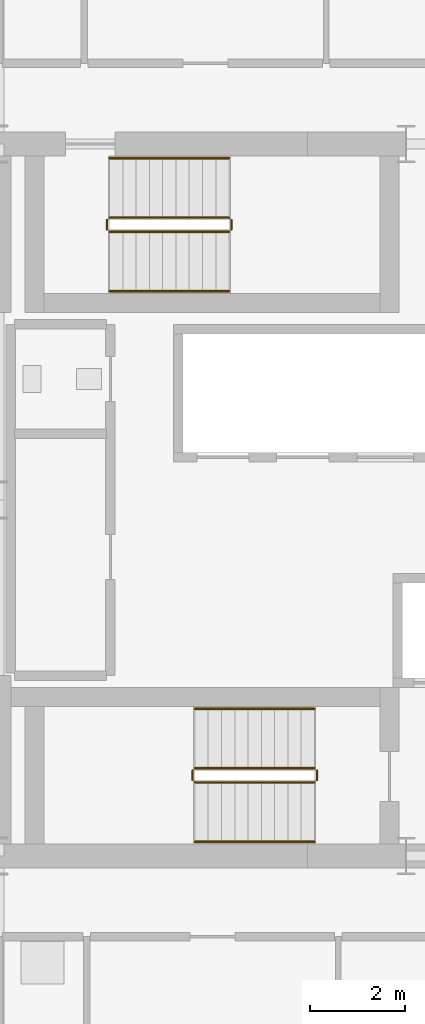
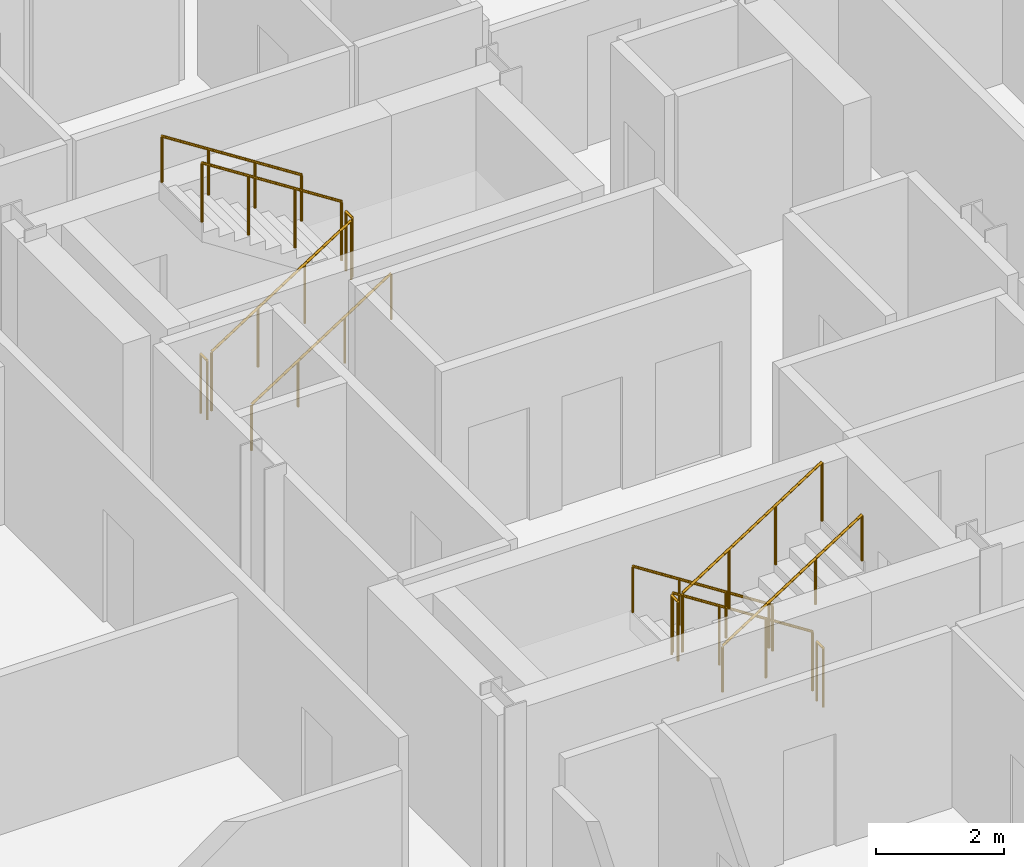
# One storey, part 20 of 21: 12 railings.
"""IFC4 building model written with IfcOpenShell, lengths in metres."""

from ifc_helpers import new_model, si_unit, direction, frame, origin, origin_2d, place, context, subcontext, project, spatial, circle, extrude, material, type_object, element, save


model = new_model("IFC4")

# Units and contexts
model_context = context("Model", 3, precision=1e-05, world=origin(), true_north=direction((0.0, 1.0)))
body_context = subcontext(model_context, "Body", "Model", "MODEL_VIEW")
ifc_project = project(units=[si_unit("LENGTHUNIT", "METRE"), si_unit("AREAUNIT", "SQUARE_METRE"), si_unit("VOLUMEUNIT", "CUBIC_METRE"), si_unit("PLANEANGLEUNIT", "RADIAN"), si_unit("MASSUNIT", "GRAM", prefix="KILO")], contexts=[model_context])

# Site, building, storey
site_placement = place(None, origin())
site = spatial("IfcSite", under=ifc_project, at=site_placement, CompositionType="ELEMENT")
building_placement = place(site_placement, origin())
building = spatial("IfcBuilding", under=site, at=building_placement, Name="Barlavira Tower and Art Museum", CompositionType="ELEMENT")
storey_placement = place(building_placement, frame((0.0, 0.0, 233.10009765625)))
storey = spatial("IfcBuildingStorey", under=building, at=storey_placement, Name="L60", CompositionType="ELEMENT", Elevation=233.10009765625)

# Railings
ifc_material = material(Name="Brushed stainless steel", Category="steel")
railing_type_1 = type_object("IfcRailingType", Name="Interior Void and Landing Guard Railing 1150", PredefinedType="GUARDRAIL", material=ifc_material)
railing_1_placement = place(storey_placement, frame((0.14990234375, -5.64990234375, 0.179931640625)))
element("IfcRailing", 1, at=railing_1_placement, inside=storey, type_object=railing_type_1, Name="L60 ST-T1 stair guard 1", PredefinedType="GUARDRAIL", context=body_context, shape_type="SweptSolid", body=[
    extrude(circle(Radius=0.02392578125, at=origin_2d()), frame((0.0, 0.0, 1.1259765625), z_axis=(-0.841199657755, 0.0, 0.540724639528), x_axis=(0.0, -1.0, 0.0)), (0.0, 0.0, 1.0), 2.995849609375),
    extrude(circle(Radius=0.02099609375, at=origin_2d()), origin(), (0.0, 0.0, 1.0), 1.101806640625),
    extrude(circle(Radius=0.02099609375, at=origin_2d()), frame((-0.840087890625, 0.0, 0.5400390625)), (0.0, 0.0, 1.0), 1.101806640625),
    extrude(circle(Radius=0.02099609375, at=origin_2d()), frame((-1.679931640625, 0.0, 1.079833984375)), (0.0, 0.0, 1.0), 1.101806640625),
    extrude(circle(Radius=0.02099609375, at=origin_2d()), frame((-2.52001953125, 0.0, 1.619873046875)), (0.0, 0.0, 1.0), 1.101806640625),
])
railing_2_placement = place(storey_placement, frame((-2.419921875, -5.699951171875, 1.7998046875)))
element("IfcRailing", 2, at=railing_2_placement, inside=storey, type_object=railing_type_1, Name="L60 ST-T1 stair guard 2", PredefinedType="GUARDRAIL", context=body_context, shape_type="SweptSolid", body=[
    extrude(circle(Radius=0.02392578125, at=origin_2d()), frame((0.0, 0.0, 1.1259765625), z_axis=(0.0, -1.0, 0.0), x_axis=(1.0, 0.0, 0.0)), (0.0, 0.0, 1.0), 0.199951171875),
    extrude(circle(Radius=0.02099609375, at=origin_2d()), origin(), (0.0, 0.0, 1.0), 1.101806640625),
    extrude(circle(Radius=0.02099609375, at=origin_2d()), frame((0.0, -0.199951171875, 0.0)), (0.0, 0.0, 1.0), 1.101806640625),
])
railing_3_placement = place(storey_placement, frame((-2.3701171875, -5.949951171875, 1.97998046875)))
element("IfcRailing", 3, at=railing_3_placement, inside=storey, type_object=railing_type_1, Name="L60 ST-T1 stair guard 3", PredefinedType="GUARDRAIL", context=body_context, shape_type="SweptSolid", body=[
    extrude(circle(Radius=0.02392578125, at=origin_2d()), frame((0.0, 0.0, 1.1259765625), z_axis=(0.841199657755, 0.0, 0.540724639528), x_axis=(0.0, 1.0, 0.0)), (0.0, 0.0, 1.0), 2.995849609375),
    extrude(circle(Radius=0.02099609375, at=origin_2d()), origin(), (0.0, 0.0, 1.0), 1.101806640625),
    extrude(circle(Radius=0.02099609375, at=origin_2d()), frame((0.840087890625, 0.0, 0.5400390625)), (0.0, 0.0, 1.0), 1.101806640625),
    extrude(circle(Radius=0.02099609375, at=origin_2d()), frame((1.679931640625, 0.0, 1.079833984375)), (0.0, 0.0, 1.0), 1.101806640625),
    extrude(circle(Radius=0.02099609375, at=origin_2d()), frame((2.52001953125, 0.0, 1.619873046875)), (0.0, 0.0, 1.0), 1.101806640625),
])
railing_4_placement = place(storey_placement, frame((0.199951171875, -5.699951171875, 0.0)))
element("IfcRailing", 4, at=railing_4_placement, inside=storey, type_object=railing_type_1, Name="L60 ST-T1 stair guard 4", PredefinedType="GUARDRAIL", context=body_context, shape_type="SweptSolid", body=[
    extrude(circle(Radius=0.02392578125, at=origin_2d()), frame((0.0, 0.0, 1.1259765625), z_axis=(0.0, -1.0, 0.0), x_axis=(1.0, 0.0, 0.0)), (0.0, 0.0, 1.0), 0.199951171875),
    extrude(circle(Radius=0.02099609375, at=origin_2d()), origin(), (0.0, 0.0, 1.0), 1.101806640625),
    extrude(circle(Radius=0.02099609375, at=origin_2d()), frame((0.0, -0.199951171875, 0.0)), (0.0, 0.0, 1.0), 1.101806640625),
])
railing_5_placement = place(storey_placement, frame((-4.169921875, 5.64990234375, 0.179931640625)))
element("IfcRailing", 5, at=railing_5_placement, inside=storey, type_object=railing_type_1, Name="L60 ST-T2 stair guard 1", PredefinedType="GUARDRAIL", context=body_context, shape_type="SweptSolid", body=[
    extrude(circle(Radius=0.02392578125, at=origin_2d()), frame((0.0, 0.0, 1.1259765625), z_axis=(0.841199657755, 0.0, 0.540724639528), x_axis=(0.0, 1.0, 0.0)), (0.0, 0.0, 1.0), 2.995849609375),
    extrude(circle(Radius=0.02099609375, at=origin_2d()), origin(), (0.0, 0.0, 1.0), 1.101806640625),
    extrude(circle(Radius=0.02099609375, at=origin_2d()), frame((0.840087890625, 0.0, 0.5400390625)), (0.0, 0.0, 1.0), 1.101806640625),
    extrude(circle(Radius=0.02099609375, at=origin_2d()), frame((1.679931640625, 0.0, 1.079833984375)), (0.0, 0.0, 1.0), 1.101806640625),
    extrude(circle(Radius=0.02099609375, at=origin_2d()), frame((2.52001953125, 0.0, 1.619873046875)), (0.0, 0.0, 1.0), 1.101806640625),
])
railing_6_placement = place(storey_placement, frame((-1.60009765625, 5.699951171875, 1.7998046875)))
element("IfcRailing", 6, at=railing_6_placement, inside=storey, type_object=railing_type_1, Name="L60 ST-T2 stair guard 2", PredefinedType="GUARDRAIL", context=body_context, shape_type="SweptSolid", body=[
    extrude(circle(Radius=0.02392578125, at=origin_2d()), frame((0.0, 0.0, 1.1259765625), z_axis=(0.0, 1.0, 0.0), x_axis=(-1.0, 0.0, 0.0)), (0.0, 0.0, 1.0), 0.199951171875),
    extrude(circle(Radius=0.02099609375, at=origin_2d()), origin(), (0.0, 0.0, 1.0), 1.101806640625),
    extrude(circle(Radius=0.02099609375, at=origin_2d()), frame((0.0, 0.199951171875, 0.0)), (0.0, 0.0, 1.0), 1.101806640625),
])
railing_7_placement = place(storey_placement, frame((-1.64990234375, 5.949951171875, 1.97998046875)))
element("IfcRailing", 7, at=railing_7_placement, inside=storey, type_object=railing_type_1, Name="L60 ST-T2 stair guard 3", PredefinedType="GUARDRAIL", context=body_context, shape_type="SweptSolid", body=[
    extrude(circle(Radius=0.02392578125, at=origin_2d()), frame((0.0, 0.0, 1.1259765625), z_axis=(-0.841199657755, 0.0, 0.540724639528), x_axis=(0.0, -1.0, 0.0)), (0.0, 0.0, 1.0), 2.995849609375),
    extrude(circle(Radius=0.02099609375, at=origin_2d()), origin(), (0.0, 0.0, 1.0), 1.101806640625),
    extrude(circle(Radius=0.02099609375, at=origin_2d()), frame((-0.840087890625, 0.0, 0.5400390625)), (0.0, 0.0, 1.0), 1.101806640625),
    extrude(circle(Radius=0.02099609375, at=origin_2d()), frame((-1.679931640625, 0.0, 1.079833984375)), (0.0, 0.0, 1.0), 1.101806640625),
    extrude(circle(Radius=0.02099609375, at=origin_2d()), frame((-2.52001953125, 0.0, 1.619873046875)), (0.0, 0.0, 1.0), 1.101806640625),
])
railing_8_placement = place(storey_placement, frame((-4.219970703125, 5.699951171875, 0.0)))
element("IfcRailing", 8, at=railing_8_placement, inside=storey, type_object=railing_type_1, Name="L60 ST-T2 stair guard 4", PredefinedType="GUARDRAIL", context=body_context, shape_type="SweptSolid", body=[
    extrude(circle(Radius=0.02392578125, at=origin_2d()), frame((0.0, 0.0, 1.1259765625), z_axis=(0.0, 1.0, 0.0), x_axis=(-1.0, 0.0, 0.0)), (0.0, 0.0, 1.0), 0.199951171875),
    extrude(circle(Radius=0.02099609375, at=origin_2d()), origin(), (0.0, 0.0, 1.0), 1.101806640625),
    extrude(circle(Radius=0.02099609375, at=origin_2d()), frame((0.0, 0.199951171875, 0.0)), (0.0, 0.0, 1.0), 1.101806640625),
])
railing_type_2 = type_object("IfcRailingType", Name="Stair Pitch Tubular Steel Handrail 920", PredefinedType="HANDRAIL", material=ifc_material)
railing_9_placement = place(storey_placement, frame((0.14990234375, -4.39990234375, 0.179931640625)))
element("IfcRailing", 9, at=railing_9_placement, inside=storey, type_object=railing_type_2, Name="L60 ST-T1 stair handrail 1", PredefinedType="HANDRAIL", context=body_context, shape_type="SweptSolid", body=[
    extrude(circle(Radius=0.02392578125, at=origin_2d()), frame((0.0, 0.0, 0.8759765625), z_axis=(-0.841199657755, 0.0, 0.540724639528), x_axis=(0.0, -1.0, 0.0)), (0.0, 0.0, 1.0), 2.995849609375),
    extrude(circle(Radius=0.02099609375, at=origin_2d()), origin(), (0.0, 0.0, 1.0), 0.851806640625),
    extrude(circle(Radius=0.02099609375, at=origin_2d()), frame((-0.840087890625, 0.0, 0.5400390625)), (0.0, 0.0, 1.0), 0.851806640625),
    extrude(circle(Radius=0.02099609375, at=origin_2d()), frame((-1.679931640625, 0.0, 1.079833984375)), (0.0, 0.0, 1.0), 0.851806640625),
    extrude(circle(Radius=0.02099609375, at=origin_2d()), frame((-2.52001953125, 0.0, 1.619873046875)), (0.0, 0.0, 1.0), 0.851806640625),
])
for number, where, name in (
    (10, (-2.3701171875, -7.199951171875, 1.97998046875), "L60 ST-T1 stair handrail 2"),
    (11, (-4.169921875, 4.39990234375, 0.179931640625), "L60 ST-T2 stair handrail 1"),
):
    element("IfcRailing", number, at=place(storey_placement, frame(where)), inside=storey, type_object=railing_type_2, Name=name, PredefinedType="HANDRAIL", context=body_context, shape_type="SweptSolid", body=[
        extrude(circle(Radius=0.02392578125, at=origin_2d()), frame((0.0, 0.0, 0.8759765625), z_axis=(0.841199657755, 0.0, 0.540724639528), x_axis=(0.0, 1.0, 0.0)), (0.0, 0.0, 1.0), 2.995849609375),
        extrude(circle(Radius=0.02099609375, at=origin_2d()), origin(), (0.0, 0.0, 1.0), 0.851806640625),
        extrude(circle(Radius=0.02099609375, at=origin_2d()), frame((0.840087890625, 0.0, 0.5400390625)), (0.0, 0.0, 1.0), 0.851806640625),
        extrude(circle(Radius=0.02099609375, at=origin_2d()), frame((1.679931640625, 0.0, 1.079833984375)), (0.0, 0.0, 1.0), 0.851806640625),
        extrude(circle(Radius=0.02099609375, at=origin_2d()), frame((2.52001953125, 0.0, 1.619873046875)), (0.0, 0.0, 1.0), 0.851806640625),
    ])
railing_10_placement = place(storey_placement, frame((-1.64990234375, 7.199951171875, 1.97998046875)))
element("IfcRailing", 12, at=railing_10_placement, inside=storey, type_object=railing_type_2, Name="L60 ST-T2 stair handrail 2", PredefinedType="HANDRAIL", context=body_context, shape_type="SweptSolid", body=[
    extrude(circle(Radius=0.02392578125, at=origin_2d()), frame((0.0, 0.0, 0.8759765625), z_axis=(-0.841199657755, 0.0, 0.540724639528), x_axis=(0.0, -1.0, 0.0)), (0.0, 0.0, 1.0), 2.995849609375),
    extrude(circle(Radius=0.02099609375, at=origin_2d()), origin(), (0.0, 0.0, 1.0), 0.851806640625),
    extrude(circle(Radius=0.02099609375, at=origin_2d()), frame((-0.840087890625, 0.0, 0.5400390625)), (0.0, 0.0, 1.0), 0.851806640625),
    extrude(circle(Radius=0.02099609375, at=origin_2d()), frame((-1.679931640625, 0.0, 1.079833984375)), (0.0, 0.0, 1.0), 0.851806640625),
    extrude(circle(Radius=0.02099609375, at=origin_2d()), frame((-2.52001953125, 0.0, 1.619873046875)), (0.0, 0.0, 1.0), 0.851806640625),
])

save(model, "model.ifc")
